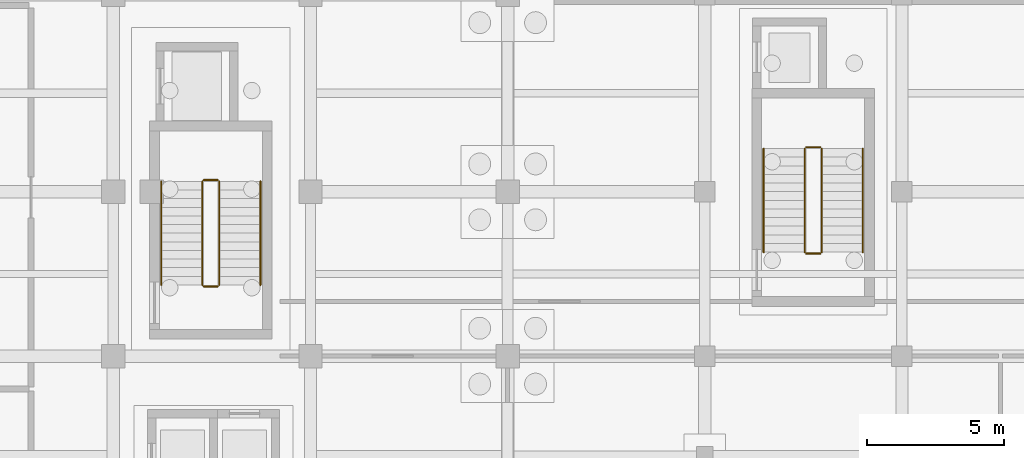
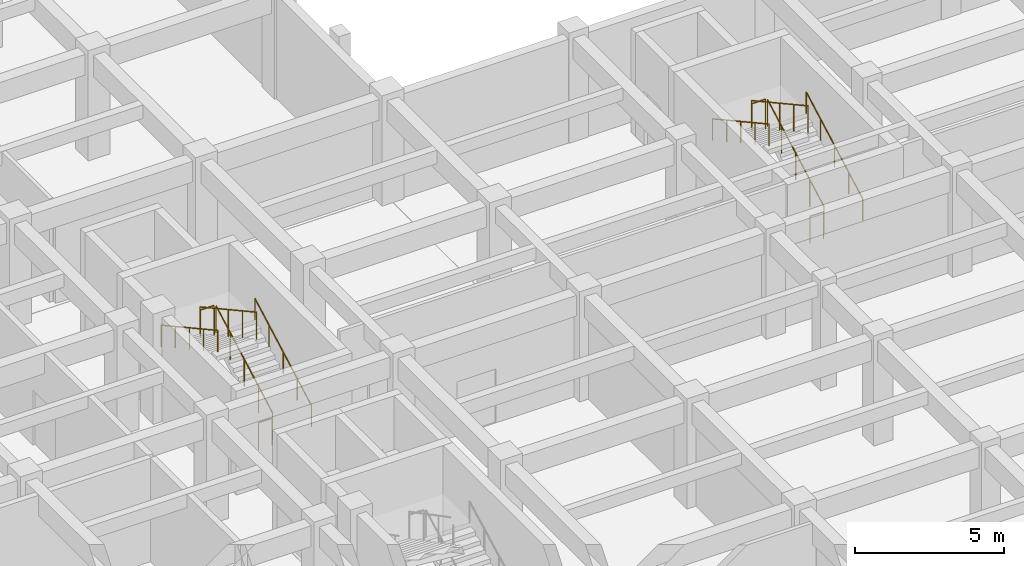
# One storey, part 25 of 28: 12 railings.
"""IFC4 building model written with IfcOpenShell, lengths in metres."""

from ifc_helpers import new_model, si_unit, direction, frame, origin, origin_2d, place, context, subcontext, project, spatial, circle, extrude, material, type_object, element, save


model = new_model("IFC4")

# Units and contexts
model_context = context("Model", 3, precision=1e-05, world=origin(), true_north=direction((0.0, 1.0)))
body_context = subcontext(model_context, "Body", "Model", "MODEL_VIEW")
ifc_project = project(units=[si_unit("LENGTHUNIT", "METRE"), si_unit("AREAUNIT", "SQUARE_METRE"), si_unit("VOLUMEUNIT", "CUBIC_METRE"), si_unit("PLANEANGLEUNIT", "RADIAN"), si_unit("MASSUNIT", "GRAM", prefix="KILO")], contexts=[model_context])

# Site, building, storey
site_placement = place(None, origin())
site = spatial("IfcSite", under=ifc_project, at=site_placement, CompositionType="ELEMENT")
building_placement = place(site_placement, origin())
building = spatial("IfcBuilding", under=site, at=building_placement, Name="Alvorim Cloister Faculty of Sciences", CompositionType="ELEMENT")
storey_placement = place(building_placement, frame((0.0, 0.0, -4.5)))
storey = spatial("IfcBuildingStorey", under=building, at=storey_placement, Name="B01", CompositionType="ELEMENT", Elevation=-4.5)

# Railings
ifc_material_1 = material(Name="Galvanised Painted Steel", Category="steel")
railing_type_1 = type_object("IfcRailingType", Name="RL-STR-GUARD", PredefinedType="GUARDRAIL", material=ifc_material_1)
railing_1_placement = place(storey_placement, frame((18.27001953125, 45.800048828125, 0.173095703125)))
element("IfcRailing", 1, at=railing_1_placement, inside=storey, type_object=railing_type_1, Name="B01 ST-03 stair guard 1", PredefinedType="GUARDRAIL", context=body_context, shape_type="SweptSolid", body=[
    extrude(circle(Radius=0.02392578125, at=origin_2d()), frame((0.0, 0.0, 1.09619140625), z_axis=(0.0, 0.876422584698, 0.481542784217), x_axis=(-1.0, 0.0, 0.0)), (0.0, 0.0, 1.0), 4.31298828125),
    extrude(circle(Radius=0.02099609375, at=origin_2d()), origin(), (0.0, 0.0, 1.0), 1.072021484375),
    extrude(circle(Radius=0.02099609375, at=origin_2d()), frame((0.0, 0.945068359375, 0.519287109375)), (0.0, 0.0, 1.0), 1.072021484375),
    extrude(circle(Radius=0.02099609375, at=origin_2d()), frame((0.0, 1.89013671875, 1.03857421875)), (0.0, 0.0, 1.0), 1.072021484375),
    extrude(circle(Radius=0.02099609375, at=origin_2d()), frame((0.0, 2.8349609375, 1.5576171875)), (0.0, 0.0, 1.0), 1.072021484375),
    extrude(circle(Radius=0.02099609375, at=origin_2d()), frame((0.0, 3.780029296875, 2.076904296875)), (0.0, 0.0, 1.0), 1.072021484375),
])
railing_2_placement = place(storey_placement, frame((18.219970703125, 49.6298828125, 2.25)))
element("IfcRailing", 2, at=railing_2_placement, inside=storey, type_object=railing_type_1, Name="B01 ST-03 stair guard 2", PredefinedType="GUARDRAIL", context=body_context, shape_type="SweptSolid", body=[
    extrude(circle(Radius=0.02392578125, at=origin_2d()), frame((0.0, 0.0, 1.09619140625), z_axis=(-1.0, 0.0, 0.0), x_axis=(0.0, -1.0, 0.0)), (0.0, 0.0, 1.0), 0.52001953125),
    extrude(circle(Radius=0.02099609375, at=origin_2d()), origin(), (0.0, 0.0, 1.0), 1.072021484375),
    extrude(circle(Radius=0.02099609375, at=origin_2d()), frame((-0.52001953125, 0.0, 0.0)), (0.0, 0.0, 1.0), 1.072021484375),
])
railing_3_placement = place(storey_placement, frame((17.64990234375, 49.580078125, 2.423095703125)))
element("IfcRailing", 3, at=railing_3_placement, inside=storey, type_object=railing_type_1, Name="B01 ST-03 stair guard 3", PredefinedType="GUARDRAIL", context=body_context, shape_type="SweptSolid", body=[
    extrude(circle(Radius=0.02392578125, at=origin_2d()), frame((0.0, 0.0, 1.09619140625), z_axis=(0.0, -0.876422584698, 0.481542784217), x_axis=(1.0, 0.0, 0.0)), (0.0, 0.0, 1.0), 4.31298828125),
    extrude(circle(Radius=0.02099609375, at=origin_2d()), origin(), (0.0, 0.0, 1.0), 1.072021484375),
    extrude(circle(Radius=0.02099609375, at=origin_2d()), frame((0.0, -0.945068359375, 0.519287109375)), (0.0, 0.0, 1.0), 1.072021484375),
    extrude(circle(Radius=0.02099609375, at=origin_2d()), frame((0.0, -1.89013671875, 1.03857421875)), (0.0, 0.0, 1.0), 1.072021484375),
    extrude(circle(Radius=0.02099609375, at=origin_2d()), frame((0.0, -2.8349609375, 1.5576171875)), (0.0, 0.0, 1.0), 1.072021484375),
    extrude(circle(Radius=0.02099609375, at=origin_2d()), frame((0.0, -3.780029296875, 2.076904296875)), (0.0, 0.0, 1.0), 1.072021484375),
])
railing_4_placement = place(storey_placement, frame((18.219970703125, 45.75, 0.0)))
element("IfcRailing", 4, at=railing_4_placement, inside=storey, type_object=railing_type_1, Name="B01 ST-03 stair guard 4", PredefinedType="GUARDRAIL", context=body_context, shape_type="SweptSolid", body=[
    extrude(circle(Radius=0.02392578125, at=origin_2d()), frame((0.0, 0.0, 1.09619140625), z_axis=(-1.0, 0.0, 0.0), x_axis=(0.0, -1.0, 0.0)), (0.0, 0.0, 1.0), 0.52001953125),
    extrude(circle(Radius=0.02099609375, at=origin_2d()), origin(), (0.0, 0.0, 1.0), 1.072021484375),
    extrude(circle(Radius=0.02099609375, at=origin_2d()), frame((-0.52001953125, 0.0, 0.0)), (0.0, 0.0, 1.0), 1.072021484375),
])
railing_5_placement = place(storey_placement, frame((40.27001953125, 47.0, 0.173095703125)))
element("IfcRailing", 5, at=railing_5_placement, inside=storey, type_object=railing_type_1, Name="B01 ST-04 stair guard 1", PredefinedType="GUARDRAIL", context=body_context, shape_type="SweptSolid", body=[
    extrude(circle(Radius=0.02392578125, at=origin_2d()), frame((0.0, 0.0, 1.09619140625), z_axis=(0.0, 0.876422584698, 0.481542784217), x_axis=(-1.0, 0.0, 0.0)), (0.0, 0.0, 1.0), 4.31298828125),
    extrude(circle(Radius=0.02099609375, at=origin_2d()), origin(), (0.0, 0.0, 1.0), 1.072021484375),
    extrude(circle(Radius=0.02099609375, at=origin_2d()), frame((0.0, 0.945068359375, 0.519287109375)), (0.0, 0.0, 1.0), 1.072021484375),
    extrude(circle(Radius=0.02099609375, at=origin_2d()), frame((0.0, 1.89013671875, 1.03857421875)), (0.0, 0.0, 1.0), 1.072021484375),
    extrude(circle(Radius=0.02099609375, at=origin_2d()), frame((0.0, 2.8349609375, 1.5576171875)), (0.0, 0.0, 1.0), 1.072021484375),
    extrude(circle(Radius=0.02099609375, at=origin_2d()), frame((0.0, 3.780029296875, 2.076904296875)), (0.0, 0.0, 1.0), 1.072021484375),
])
railing_6_placement = place(storey_placement, frame((40.219970703125, 50.830078125, 2.25)))
element("IfcRailing", 6, at=railing_6_placement, inside=storey, type_object=railing_type_1, Name="B01 ST-04 stair guard 2", PredefinedType="GUARDRAIL", context=body_context, shape_type="SweptSolid", body=[
    extrude(circle(Radius=0.02392578125, at=origin_2d()), frame((0.0, 0.0, 1.09619140625), z_axis=(-1.0, 0.0, 0.0), x_axis=(0.0, -1.0, 0.0)), (0.0, 0.0, 1.0), 0.52001953125),
    extrude(circle(Radius=0.02099609375, at=origin_2d()), origin(), (0.0, 0.0, 1.0), 1.072021484375),
    extrude(circle(Radius=0.02099609375, at=origin_2d()), frame((-0.52001953125, 0.0, 0.0)), (0.0, 0.0, 1.0), 1.072021484375),
])
railing_7_placement = place(storey_placement, frame((39.64990234375, 50.780029296875, 2.423095703125)))
element("IfcRailing", 7, at=railing_7_placement, inside=storey, type_object=railing_type_1, Name="B01 ST-04 stair guard 3", PredefinedType="GUARDRAIL", context=body_context, shape_type="SweptSolid", body=[
    extrude(circle(Radius=0.02392578125, at=origin_2d()), frame((0.0, 0.0, 1.09619140625), z_axis=(0.0, -0.876422584698, 0.481542784217), x_axis=(1.0, 0.0, 0.0)), (0.0, 0.0, 1.0), 4.31298828125),
    extrude(circle(Radius=0.02099609375, at=origin_2d()), origin(), (0.0, 0.0, 1.0), 1.072021484375),
    extrude(circle(Radius=0.02099609375, at=origin_2d()), frame((0.0, -0.945068359375, 0.519287109375)), (0.0, 0.0, 1.0), 1.072021484375),
    extrude(circle(Radius=0.02099609375, at=origin_2d()), frame((0.0, -1.89013671875, 1.03857421875)), (0.0, 0.0, 1.0), 1.072021484375),
    extrude(circle(Radius=0.02099609375, at=origin_2d()), frame((0.0, -2.8349609375, 1.5576171875)), (0.0, 0.0, 1.0), 1.072021484375),
    extrude(circle(Radius=0.02099609375, at=origin_2d()), frame((0.0, -3.780029296875, 2.076904296875)), (0.0, 0.0, 1.0), 1.072021484375),
])
railing_8_placement = place(storey_placement, frame((40.219970703125, 46.949951171875, 0.0)))
element("IfcRailing", 8, at=railing_8_placement, inside=storey, type_object=railing_type_1, Name="B01 ST-04 stair guard 4", PredefinedType="GUARDRAIL", context=body_context, shape_type="SweptSolid", body=[
    extrude(circle(Radius=0.02392578125, at=origin_2d()), frame((0.0, 0.0, 1.09619140625), z_axis=(-1.0, 0.0, 0.0), x_axis=(0.0, -1.0, 0.0)), (0.0, 0.0, 1.0), 0.52001953125),
    extrude(circle(Radius=0.02099609375, at=origin_2d()), origin(), (0.0, 0.0, 1.0), 1.072021484375),
    extrude(circle(Radius=0.02099609375, at=origin_2d()), frame((-0.52001953125, 0.0, 0.0)), (0.0, 0.0, 1.0), 1.072021484375),
])
ifc_material_2 = material(Name="Brushed Stainless Steel", Category="steel")
railing_type_2 = type_object("IfcRailingType", Name="RL-STR-HAND", PredefinedType="HANDRAIL", material=ifc_material_2)
railing_9_placement = place(storey_placement, frame((19.77001953125, 45.800048828125, 0.173095703125)))
element("IfcRailing", 9, at=railing_9_placement, inside=storey, type_object=railing_type_2, Name="B01 ST-03 stair handrail 1", PredefinedType="HANDRAIL", context=body_context, shape_type="SweptSolid", body=[
    extrude(circle(Radius=0.02392578125, at=origin_2d()), frame((0.0, 0.0, 0.8759765625), z_axis=(0.0, 0.876422584698, 0.481542784217), x_axis=(-1.0, 0.0, 0.0)), (0.0, 0.0, 1.0), 4.31298828125),
    extrude(circle(Radius=0.02099609375, at=origin_2d()), origin(), (0.0, 0.0, 1.0), 0.851806640625),
    extrude(circle(Radius=0.02099609375, at=origin_2d()), frame((0.0, 0.945068359375, 0.519287109375)), (0.0, 0.0, 1.0), 0.851806640625),
    extrude(circle(Radius=0.02099609375, at=origin_2d()), frame((0.0, 1.89013671875, 1.03857421875)), (0.0, 0.0, 1.0), 0.851806640625),
    extrude(circle(Radius=0.02099609375, at=origin_2d()), frame((0.0, 2.8349609375, 1.5576171875)), (0.0, 0.0, 1.0), 0.851806640625),
    extrude(circle(Radius=0.02099609375, at=origin_2d()), frame((0.0, 3.780029296875, 2.076904296875)), (0.0, 0.0, 1.0), 0.851806640625),
])
railing_10_placement = place(storey_placement, frame((16.14990234375, 49.580078125, 2.423095703125)))
element("IfcRailing", 10, at=railing_10_placement, inside=storey, type_object=railing_type_2, Name="B01 ST-03 stair handrail 2", PredefinedType="HANDRAIL", context=body_context, shape_type="SweptSolid", body=[
    extrude(circle(Radius=0.02392578125, at=origin_2d()), frame((0.0, 0.0, 0.8759765625), z_axis=(0.0, -0.876422584698, 0.481542784217), x_axis=(1.0, 0.0, 0.0)), (0.0, 0.0, 1.0), 4.31298828125),
    extrude(circle(Radius=0.02099609375, at=origin_2d()), origin(), (0.0, 0.0, 1.0), 0.851806640625),
    extrude(circle(Radius=0.02099609375, at=origin_2d()), frame((0.0, -0.945068359375, 0.519287109375)), (0.0, 0.0, 1.0), 0.851806640625),
    extrude(circle(Radius=0.02099609375, at=origin_2d()), frame((0.0, -1.89013671875, 1.03857421875)), (0.0, 0.0, 1.0), 0.851806640625),
    extrude(circle(Radius=0.02099609375, at=origin_2d()), frame((0.0, -2.8349609375, 1.5576171875)), (0.0, 0.0, 1.0), 0.851806640625),
    extrude(circle(Radius=0.02099609375, at=origin_2d()), frame((0.0, -3.780029296875, 2.076904296875)), (0.0, 0.0, 1.0), 0.851806640625),
])
railing_11_placement = place(storey_placement, frame((41.77001953125, 47.0, 0.173095703125)))
element("IfcRailing", 11, at=railing_11_placement, inside=storey, type_object=railing_type_2, Name="B01 ST-04 stair handrail 1", PredefinedType="HANDRAIL", context=body_context, shape_type="SweptSolid", body=[
    extrude(circle(Radius=0.02392578125, at=origin_2d()), frame((0.0, 0.0, 0.8759765625), z_axis=(0.0, 0.876422584698, 0.481542784217), x_axis=(-1.0, 0.0, 0.0)), (0.0, 0.0, 1.0), 4.31298828125),
    extrude(circle(Radius=0.02099609375, at=origin_2d()), origin(), (0.0, 0.0, 1.0), 0.851806640625),
    extrude(circle(Radius=0.02099609375, at=origin_2d()), frame((0.0, 0.945068359375, 0.519287109375)), (0.0, 0.0, 1.0), 0.851806640625),
    extrude(circle(Radius=0.02099609375, at=origin_2d()), frame((0.0, 1.89013671875, 1.03857421875)), (0.0, 0.0, 1.0), 0.851806640625),
    extrude(circle(Radius=0.02099609375, at=origin_2d()), frame((0.0, 2.8349609375, 1.5576171875)), (0.0, 0.0, 1.0), 0.851806640625),
    extrude(circle(Radius=0.02099609375, at=origin_2d()), frame((0.0, 3.780029296875, 2.076904296875)), (0.0, 0.0, 1.0), 0.851806640625),
])
railing_12_placement = place(storey_placement, frame((38.14990234375, 50.780029296875, 2.423095703125)))
element("IfcRailing", 12, at=railing_12_placement, inside=storey, type_object=railing_type_2, Name="B01 ST-04 stair handrail 2", PredefinedType="HANDRAIL", context=body_context, shape_type="SweptSolid", body=[
    extrude(circle(Radius=0.02392578125, at=origin_2d()), frame((0.0, 0.0, 0.8759765625), z_axis=(0.0, -0.876422584698, 0.481542784217), x_axis=(1.0, 0.0, 0.0)), (0.0, 0.0, 1.0), 4.31298828125),
    extrude(circle(Radius=0.02099609375, at=origin_2d()), origin(), (0.0, 0.0, 1.0), 0.851806640625),
    extrude(circle(Radius=0.02099609375, at=origin_2d()), frame((0.0, -0.945068359375, 0.519287109375)), (0.0, 0.0, 1.0), 0.851806640625),
    extrude(circle(Radius=0.02099609375, at=origin_2d()), frame((0.0, -1.89013671875, 1.03857421875)), (0.0, 0.0, 1.0), 0.851806640625),
    extrude(circle(Radius=0.02099609375, at=origin_2d()), frame((0.0, -2.8349609375, 1.5576171875)), (0.0, 0.0, 1.0), 0.851806640625),
    extrude(circle(Radius=0.02099609375, at=origin_2d()), frame((0.0, -3.780029296875, 2.076904296875)), (0.0, 0.0, 1.0), 0.851806640625),
])

save(model, "model.ifc")
